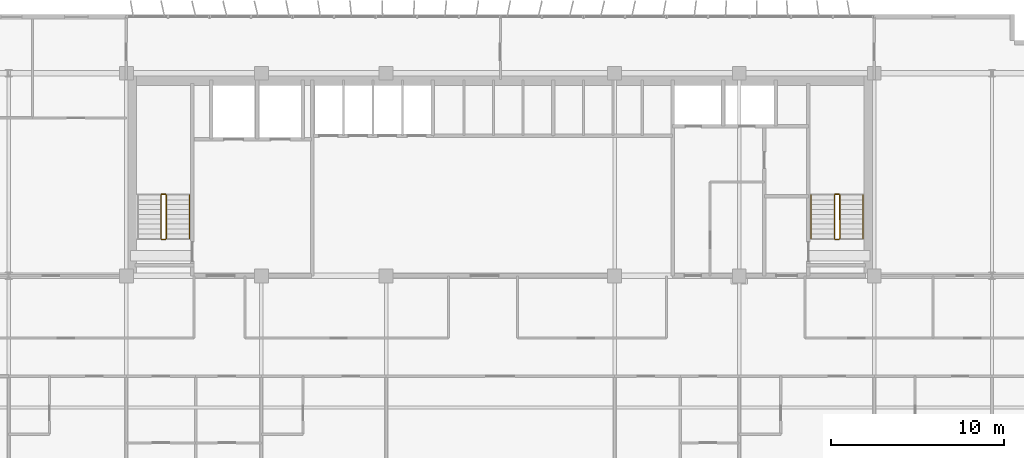
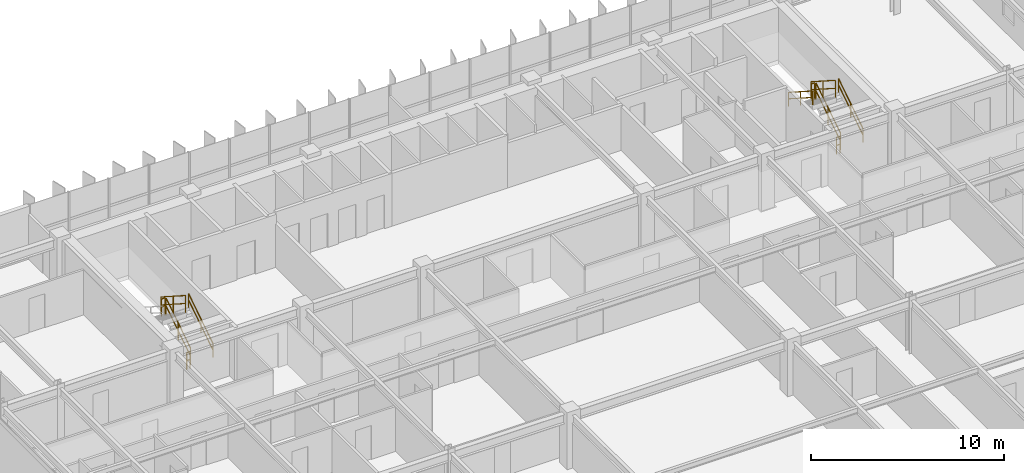
# One storey, part 21 of 22: 11 railings.
"""IFC4 building model written with IfcOpenShell, lengths in metres."""

from ifc_helpers import new_model, si_unit, direction, frame, origin, origin_2d, place, context, subcontext, project, spatial, rectangle, extrude, material, type_object, element, save


model = new_model("IFC4")

# Units and contexts
model_context = context("Model", 3, precision=1e-05, world=origin(), true_north=direction((0.0, 1.0)))
body_context = subcontext(model_context, "Body", "Model", "MODEL_VIEW")
ifc_project = project(units=[si_unit("LENGTHUNIT", "METRE"), si_unit("AREAUNIT", "SQUARE_METRE"), si_unit("VOLUMEUNIT", "CUBIC_METRE"), si_unit("PLANEANGLEUNIT", "RADIAN"), si_unit("MASSUNIT", "GRAM", prefix="KILO")], contexts=[model_context])

# Site, building, storey
site_placement = place(None, origin())
site = spatial("IfcSite", under=ifc_project, at=site_placement, CompositionType="ELEMENT")
building_placement = place(site_placement, origin())
building = spatial("IfcBuilding", under=site, at=building_placement, Name="Trelvane Seafront Commons", CompositionType="ELEMENT")
storey_placement = place(building_placement, frame((0.0, 0.0, 92.5)))
storey = spatial("IfcBuildingStorey", under=building, at=storey_placement, Name="L23", CompositionType="ELEMENT", Elevation=92.5)

# Railings
ifc_material = material(Name="Stainless steel balustrade", Category="steel")
railing_type_1 = type_object("IfcRailingType", Name="ARCH-SRL-GUARD", PredefinedType="GUARDRAIL", material=ifc_material)
railing_1_placement = place(storey_placement, frame((17.89990234375, 35.550048828125, 0.179931640625)))
element("IfcRailing", 1, at=railing_1_placement, inside=storey, type_object=railing_type_1, Name="L23 ST-1 stair guard 1", PredefinedType="GUARDRAIL", context=body_context, shape_type="SweptSolid", body=[
    extrude(rectangle(XDim=0.048095703125, YDim=0.048095703125, at=origin_2d()), frame((0.0, 0.0, 1.076171875), z_axis=(0.0, 0.841162588446, 0.540782303519), x_axis=(-1.0, 0.0, 0.0)), (0.0, 0.0, 1.0), 2.995849609375),
    extrude(rectangle(XDim=0.048095703125, YDim=0.048095703125, at=origin_2d()), frame((0.0, 0.0, 0.572021484375), z_axis=(0.0, 0.841162588446, 0.540782303519), x_axis=(-1.0, 0.0, 0.0)), (0.0, 0.0, 1.0), 2.995849609375),
    extrude(rectangle(XDim=0.0419921875, YDim=0.0419921875, at=origin_2d()), origin(), (0.0, 0.0, 1.0), 1.076171875),
    extrude(rectangle(XDim=0.0419921875, YDim=0.0419921875, at=origin_2d()), frame((0.0, 1.260009765625, 0.81005859375)), (0.0, 0.0, 1.0), 1.076171875),
    extrude(rectangle(XDim=0.0419921875, YDim=0.0419921875, at=origin_2d()), frame((0.0, 2.52001953125, 1.6201171875)), (0.0, 0.0, 1.0), 1.076171875),
])
railing_2_placement = place(storey_placement, frame((17.85009765625, 38.1201171875, 1.800048828125)))
element("IfcRailing", 2, at=railing_2_placement, inside=storey, type_object=railing_type_1, Name="L23 ST-1 stair guard 2", PredefinedType="GUARDRAIL", context=body_context, shape_type="SweptSolid", body=[
    extrude(rectangle(XDim=0.048095703125, YDim=0.048095703125, at=origin_2d()), frame((0.0, 0.0, 1.076171875), z_axis=(-1.0, 0.0, 0.0), x_axis=(0.0, -1.0, 0.0)), (0.0, 0.0, 1.0), 0.2001953125),
    extrude(rectangle(XDim=0.048095703125, YDim=0.048095703125, at=origin_2d()), frame((0.0, 0.0, 0.572021484375), z_axis=(-1.0, 0.0, 0.0), x_axis=(0.0, -1.0, 0.0)), (0.0, 0.0, 1.0), 0.2001953125),
    extrude(rectangle(XDim=0.0419921875, YDim=0.0419921875, at=origin_2d()), origin(), (0.0, 0.0, 1.0), 1.076171875),
    extrude(rectangle(XDim=0.0419921875, YDim=0.0419921875, at=origin_2d()), frame((-0.2001953125, 0.0, 0.0)), (0.0, 0.0, 1.0), 1.076171875),
])
railing_3_placement = place(storey_placement, frame((17.60009765625, 38.070068359375, 1.97998046875)))
element("IfcRailing", 3, at=railing_3_placement, inside=storey, type_object=railing_type_1, Name="L23 ST-1 stair guard 3", PredefinedType="GUARDRAIL", context=body_context, shape_type="SweptSolid", body=[
    extrude(rectangle(XDim=0.048095703125, YDim=0.048095703125, at=origin_2d()), frame((0.0, 0.0, 1.076171875), z_axis=(0.0, -0.841162588446, 0.540782303519), x_axis=(1.0, 0.0, 0.0)), (0.0, 0.0, 1.0), 2.995849609375),
    extrude(rectangle(XDim=0.048095703125, YDim=0.048095703125, at=origin_2d()), frame((0.0, 0.0, 0.572021484375), z_axis=(0.0, -0.841162588446, 0.540782303519), x_axis=(1.0, 0.0, 0.0)), (0.0, 0.0, 1.0), 2.995849609375),
    extrude(rectangle(XDim=0.0419921875, YDim=0.0419921875, at=origin_2d()), origin(), (0.0, 0.0, 1.0), 1.076171875),
    extrude(rectangle(XDim=0.0419921875, YDim=0.0419921875, at=origin_2d()), frame((0.0, -1.260009765625, 0.81005859375)), (0.0, 0.0, 1.0), 1.076171875),
    extrude(rectangle(XDim=0.0419921875, YDim=0.0419921875, at=origin_2d()), frame((0.0, -2.52001953125, 1.6201171875)), (0.0, 0.0, 1.0), 1.076171875),
])
railing_4_placement = place(storey_placement, frame((17.85009765625, 35.5, 0.0)))
element("IfcRailing", 4, at=railing_4_placement, inside=storey, type_object=railing_type_1, Name="L23 ST-1 stair guard 4", PredefinedType="GUARDRAIL", context=body_context, shape_type="SweptSolid", body=[
    extrude(rectangle(XDim=0.048095703125, YDim=0.048095703125, at=origin_2d()), frame((0.0, 0.0, 1.076171875), z_axis=(-1.0, 0.0, 0.0), x_axis=(0.0, -1.0, 0.0)), (0.0, 0.0, 1.0), 0.2001953125),
    extrude(rectangle(XDim=0.048095703125, YDim=0.048095703125, at=origin_2d()), frame((0.0, 0.0, 0.572021484375), z_axis=(-1.0, 0.0, 0.0), x_axis=(0.0, -1.0, 0.0)), (0.0, 0.0, 1.0), 0.2001953125),
    extrude(rectangle(XDim=0.0419921875, YDim=0.0419921875, at=origin_2d()), origin(), (0.0, 0.0, 1.0), 1.076171875),
    extrude(rectangle(XDim=0.0419921875, YDim=0.0419921875, at=origin_2d()), frame((-0.2001953125, 0.0, 0.0)), (0.0, 0.0, 1.0), 1.076171875),
])
railing_5_placement = place(storey_placement, frame((56.800048828125, 35.550048828125, 0.179931640625)))
element("IfcRailing", 5, at=railing_5_placement, inside=storey, type_object=railing_type_1, Name="L23 ST-2 stair guard 1", PredefinedType="GUARDRAIL", context=body_context, shape_type="SweptSolid", body=[
    extrude(rectangle(XDim=0.048095703125, YDim=0.048095703125, at=origin_2d()), frame((0.0, 0.0, 1.076171875), z_axis=(0.0, 0.841162588446, 0.540782303519), x_axis=(-1.0, 0.0, 0.0)), (0.0, 0.0, 1.0), 2.995849609375),
    extrude(rectangle(XDim=0.048095703125, YDim=0.048095703125, at=origin_2d()), frame((0.0, 0.0, 0.572021484375), z_axis=(0.0, 0.841162588446, 0.540782303519), x_axis=(-1.0, 0.0, 0.0)), (0.0, 0.0, 1.0), 2.995849609375),
    extrude(rectangle(XDim=0.0419921875, YDim=0.0419921875, at=origin_2d()), origin(), (0.0, 0.0, 1.0), 1.076171875),
    extrude(rectangle(XDim=0.0419921875, YDim=0.0419921875, at=origin_2d()), frame((0.0, 1.260009765625, 0.81005859375)), (0.0, 0.0, 1.0), 1.076171875),
    extrude(rectangle(XDim=0.0419921875, YDim=0.0419921875, at=origin_2d()), frame((0.0, 2.52001953125, 1.6201171875)), (0.0, 0.0, 1.0), 1.076171875),
])
railing_6_placement = place(storey_placement, frame((56.75, 38.1201171875, 1.800048828125)))
element("IfcRailing", 6, at=railing_6_placement, inside=storey, type_object=railing_type_1, Name="L23 ST-2 stair guard 2", PredefinedType="GUARDRAIL", context=body_context, shape_type="SweptSolid", body=[
    extrude(rectangle(XDim=0.048095703125, YDim=0.048095703125, at=origin_2d()), frame((0.0, 0.0, 1.076171875), z_axis=(-1.0, 0.0, 0.0), x_axis=(0.0, -1.0, 0.0)), (0.0, 0.0, 1.0), 0.199951171875),
    extrude(rectangle(XDim=0.048095703125, YDim=0.048095703125, at=origin_2d()), frame((0.0, 0.0, 0.572021484375), z_axis=(-1.0, 0.0, 0.0), x_axis=(0.0, -1.0, 0.0)), (0.0, 0.0, 1.0), 0.199951171875),
    extrude(rectangle(XDim=0.0419921875, YDim=0.0419921875, at=origin_2d()), origin(), (0.0, 0.0, 1.0), 1.076171875),
    extrude(rectangle(XDim=0.0419921875, YDim=0.0419921875, at=origin_2d()), frame((-0.199951171875, 0.0, 0.0)), (0.0, 0.0, 1.0), 1.076171875),
])
railing_7_placement = place(storey_placement, frame((56.5, 38.070068359375, 1.97998046875)))
element("IfcRailing", 7, at=railing_7_placement, inside=storey, type_object=railing_type_1, Name="L23 ST-2 stair guard 3", PredefinedType="GUARDRAIL", context=body_context, shape_type="SweptSolid", body=[
    extrude(rectangle(XDim=0.048095703125, YDim=0.048095703125, at=origin_2d()), frame((0.0, 0.0, 1.076171875), z_axis=(0.0, -0.841162588446, 0.540782303519), x_axis=(1.0, 0.0, 0.0)), (0.0, 0.0, 1.0), 2.995849609375),
    extrude(rectangle(XDim=0.048095703125, YDim=0.048095703125, at=origin_2d()), frame((0.0, 0.0, 0.572021484375), z_axis=(0.0, -0.841162588446, 0.540782303519), x_axis=(1.0, 0.0, 0.0)), (0.0, 0.0, 1.0), 2.995849609375),
    extrude(rectangle(XDim=0.0419921875, YDim=0.0419921875, at=origin_2d()), origin(), (0.0, 0.0, 1.0), 1.076171875),
    extrude(rectangle(XDim=0.0419921875, YDim=0.0419921875, at=origin_2d()), frame((0.0, -1.260009765625, 0.81005859375)), (0.0, 0.0, 1.0), 1.076171875),
    extrude(rectangle(XDim=0.0419921875, YDim=0.0419921875, at=origin_2d()), frame((0.0, -2.52001953125, 1.6201171875)), (0.0, 0.0, 1.0), 1.076171875),
])
railing_8_placement = place(storey_placement, frame((56.75, 35.5, 0.0)))
element("IfcRailing", 8, at=railing_8_placement, inside=storey, type_object=railing_type_1, Name="L23 ST-2 stair guard 4", PredefinedType="GUARDRAIL", context=body_context, shape_type="SweptSolid", body=[
    extrude(rectangle(XDim=0.048095703125, YDim=0.048095703125, at=origin_2d()), frame((0.0, 0.0, 1.076171875), z_axis=(-1.0, 0.0, 0.0), x_axis=(0.0, -1.0, 0.0)), (0.0, 0.0, 1.0), 0.199951171875),
    extrude(rectangle(XDim=0.048095703125, YDim=0.048095703125, at=origin_2d()), frame((0.0, 0.0, 0.572021484375), z_axis=(-1.0, 0.0, 0.0), x_axis=(0.0, -1.0, 0.0)), (0.0, 0.0, 1.0), 0.199951171875),
    extrude(rectangle(XDim=0.0419921875, YDim=0.0419921875, at=origin_2d()), origin(), (0.0, 0.0, 1.0), 1.076171875),
    extrude(rectangle(XDim=0.0419921875, YDim=0.0419921875, at=origin_2d()), frame((-0.199951171875, 0.0, 0.0)), (0.0, 0.0, 1.0), 1.076171875),
])
railing_type_2 = type_object("IfcRailingType", Name="ARCH-SRL-HAND", PredefinedType="HANDRAIL", material=ifc_material)
for number, where, name in (
    (9, (19.25, 35.550048828125, 0.179931640625), "L23 ST-1 stair handrail 1"),
    (10, (58.14990234375, 35.550048828125, 0.179931640625), "L23 ST-2 stair handrail 1"),
):
    element("IfcRailing", number, at=place(storey_placement, frame(where)), inside=storey, type_object=railing_type_2, Name=name, PredefinedType="HANDRAIL", context=body_context, shape_type="SweptSolid", body=[
        extrude(rectangle(XDim=0.048095703125, YDim=0.048095703125, at=origin_2d()), frame((0.0, 0.0, 0.8759765625), z_axis=(0.0, 0.841162588446, 0.540782303519), x_axis=(-1.0, 0.0, 0.0)), (0.0, 0.0, 1.0), 2.995849609375),
        extrude(rectangle(XDim=0.048095703125, YDim=0.048095703125, at=origin_2d()), frame((0.0, 0.0, 0.468017578125), z_axis=(0.0, 0.841162588446, 0.540782303519), x_axis=(-1.0, 0.0, 0.0)), (0.0, 0.0, 1.0), 2.995849609375),
        extrude(rectangle(XDim=0.0419921875, YDim=0.0419921875, at=origin_2d()), origin(), (0.0, 0.0, 1.0), 0.8759765625),
        extrude(rectangle(XDim=0.0419921875, YDim=0.0419921875, at=origin_2d()), frame((0.0, 1.260009765625, 0.81005859375)), (0.0, 0.0, 1.0), 0.8759765625),
        extrude(rectangle(XDim=0.0419921875, YDim=0.0419921875, at=origin_2d()), frame((0.0, 2.52001953125, 1.6201171875)), (0.0, 0.0, 1.0), 0.8759765625),
    ])
railing_9_placement = place(storey_placement, frame((55.14990234375, 38.070068359375, 1.97998046875)))
element("IfcRailing", 11, at=railing_9_placement, inside=storey, type_object=railing_type_2, Name="L23 ST-2 stair handrail 2", PredefinedType="HANDRAIL", context=body_context, shape_type="SweptSolid", body=[
    extrude(rectangle(XDim=0.048095703125, YDim=0.048095703125, at=origin_2d()), frame((0.0, 0.0, 0.8759765625), z_axis=(0.0, -0.841162588446, 0.540782303519), x_axis=(1.0, 0.0, 0.0)), (0.0, 0.0, 1.0), 2.995849609375),
    extrude(rectangle(XDim=0.048095703125, YDim=0.048095703125, at=origin_2d()), frame((0.0, 0.0, 0.468017578125), z_axis=(0.0, -0.841162588446, 0.540782303519), x_axis=(1.0, 0.0, 0.0)), (0.0, 0.0, 1.0), 2.995849609375),
    extrude(rectangle(XDim=0.0419921875, YDim=0.0419921875, at=origin_2d()), origin(), (0.0, 0.0, 1.0), 0.8759765625),
    extrude(rectangle(XDim=0.0419921875, YDim=0.0419921875, at=origin_2d()), frame((0.0, -1.260009765625, 0.81005859375)), (0.0, 0.0, 1.0), 0.8759765625),
    extrude(rectangle(XDim=0.0419921875, YDim=0.0419921875, at=origin_2d()), frame((0.0, -2.52001953125, 1.6201171875)), (0.0, 0.0, 1.0), 0.8759765625),
])

save(model, "model.ifc")
